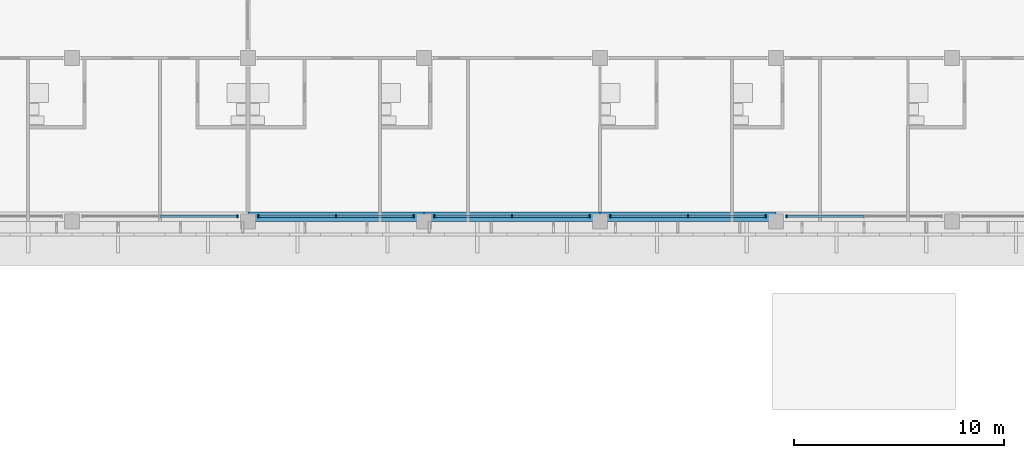
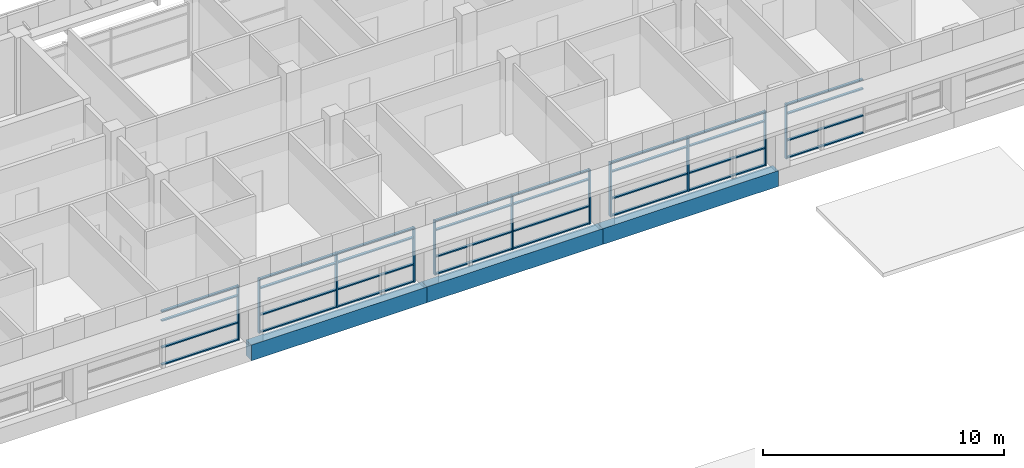
# One storey, part 6 of 36: 43 members, 3 beams, 5 elements without a shape of their own.
"""IFC4 building model written with IfcOpenShell, lengths in metres."""

from ifc_helpers import new_model, si_unit, direction, frame, origin, origin_2d, place, context, subcontext, project, spatial, rectangle, extrude, material, material_profile, profile_set, type_object, element, aggregate, save


model = new_model("IFC4")

# Units and contexts
model_context = context("Model", 3, precision=1e-05, world=origin(), true_north=direction((0.0, 1.0)))
body_context = subcontext(model_context, "Body", "Model", "MODEL_VIEW")
ifc_project = project(units=[si_unit("LENGTHUNIT", "METRE"), si_unit("AREAUNIT", "SQUARE_METRE"), si_unit("VOLUMEUNIT", "CUBIC_METRE"), si_unit("PLANEANGLEUNIT", "RADIAN"), si_unit("MASSUNIT", "GRAM", prefix="KILO")], contexts=[model_context])

# Site, building, storey
site_placement = place(None, origin())
site = spatial("IfcSite", under=ifc_project, at=site_placement, CompositionType="ELEMENT")
building_placement = place(site_placement, origin())
building = spatial("IfcBuilding", under=site, at=building_placement, Name="Bougainvillea Quay General Hospital", CompositionType="ELEMENT")
storey_placement = place(building_placement, frame((0.0, 0.0, 32.699951171875)))
storey = spatial("IfcBuildingStorey", under=building, at=storey_placement, Name="L07", CompositionType="ELEMENT", Elevation=32.699951171875)

# Curtain wall, member
ifc_material_1 = material(Name="Aluminium curtain wall system, powder-coated glazed", Category="aluminium")
curtain_wall_type = type_object("IfcCurtainWallType", Name="Unitised curtain wall CW-3730", PredefinedType="NOTDEFINED", material=ifc_material_1)
curtain_wall_1_placement = place(storey_placement, origin())
curtain_wall_1 = element("IfcCurtainWall", 1, at=curtain_wall_1_placement, inside=storey, type_object=curtain_wall_type, Name="CW-4200 03", PredefinedType="NOTDEFINED")
ifc_material_2 = material(Name="Aluminium mullion, powder-coated charcoal", Category="aluminium")
ifc_material_profile_1 = material_profile(ifc_material_2, rectangle(XDim=0.159912109375, YDim=0.06005859375, at=origin_2d()))
ifc_profile_set_1 = profile_set([ifc_material_profile_1], Name="Aluminium mullion, powder-coated charcoal")
member_type_1 = type_object("IfcMemberType", Name="Curtain wall mullion 160x60", PredefinedType="MULLION", material=ifc_profile_set_1)
member_1_placement = place(storey_placement, frame((108.699951171875, 140.64990234375, 0.0), z_axis=(0.0, 0.0, 1.0), x_axis=(0.0, 1.0, 0.0)))
member_1 = element("IfcMember", 2, at=member_1_placement, type_object=member_type_1, Name="CW-4200 mullion 3", PredefinedType="MULLION", context=body_context, shape_type="SweptSolid", body=[
    extrude(rectangle(XDim=0.159912109375, YDim=0.06005859375, at=origin_2d()), origin(), (0.0, 0.0, 1.0), 2.75),
])

# Curtain wall, members
curtain_wall_2_placement = place(storey_placement, origin())
curtain_wall_2 = element("IfcCurtainWall", 3, at=curtain_wall_2_placement, inside=storey, type_object=curtain_wall_type, Name="CW-4200 04", PredefinedType="NOTDEFINED")
member_2_placement = place(storey_placement, frame((109.699951171875, 140.64990234375, 0.0), z_axis=(0.0, 0.0, 1.0), x_axis=(0.0, 1.0, 0.0)))
member_2 = element("IfcMember", 4, at=member_2_placement, type_object=member_type_1, Name="CW-4200 mullion 1", PredefinedType="MULLION", context=body_context, shape_type="SweptSolid", body=[
    extrude(rectangle(XDim=0.159912109375, YDim=0.06005859375, at=origin_2d()), origin(), (0.0, 0.0, 1.0), 2.75),
])
member_3_placement = place(storey_placement, frame((113.39990234375, 140.64990234375, 0.0), z_axis=(0.0, 0.0, 1.0), x_axis=(0.0, 1.0, 0.0)))
member_3 = element("IfcMember", 5, at=member_3_placement, type_object=member_type_1, Name="CW-4200 mullion 2", PredefinedType="MULLION", context=body_context, shape_type="SweptSolid", body=[
    extrude(rectangle(XDim=0.159912109375, YDim=0.06005859375, at=origin_2d()), origin(), (0.0, 0.0, 1.0), 2.75),
])
member_4_placement = place(storey_placement, frame((117.10009765625, 140.64990234375, 0.0), z_axis=(0.0, 0.0, 1.0), x_axis=(0.0, 1.0, 0.0)))
member_4 = element("IfcMember", 6, at=member_4_placement, type_object=member_type_1, Name="CW-4200 mullion 3", PredefinedType="MULLION", context=body_context, shape_type="SweptSolid", body=[
    extrude(rectangle(XDim=0.159912109375, YDim=0.06005859375, at=origin_2d()), origin(), (0.0, 0.0, 1.0), 2.75),
])

curtain_wall_3_placement = place(storey_placement, origin())
curtain_wall_3 = element("IfcCurtainWall", 7, at=curtain_wall_3_placement, inside=storey, type_object=curtain_wall_type, Name="CW-4200 05", PredefinedType="NOTDEFINED")
member_5_placement = place(storey_placement, frame((118.10009765625, 140.64990234375, 0.0), z_axis=(0.0, 0.0, 1.0), x_axis=(0.0, 1.0, 0.0)))
member_5 = element("IfcMember", 8, at=member_5_placement, type_object=member_type_1, Name="CW-4200 mullion 1", PredefinedType="MULLION", context=body_context, shape_type="SweptSolid", body=[
    extrude(rectangle(XDim=0.159912109375, YDim=0.06005859375, at=origin_2d()), origin(), (0.0, 0.0, 1.0), 2.75),
])
member_6_placement = place(storey_placement, frame((121.800048828125, 140.64990234375, 0.0), z_axis=(0.0, 0.0, 1.0), x_axis=(0.0, 1.0, 0.0)))
member_6 = element("IfcMember", 9, at=member_6_placement, type_object=member_type_1, Name="CW-4200 mullion 2", PredefinedType="MULLION", context=body_context, shape_type="SweptSolid", body=[
    extrude(rectangle(XDim=0.159912109375, YDim=0.06005859375, at=origin_2d()), origin(), (0.0, 0.0, 1.0), 2.75),
])
member_7_placement = place(storey_placement, frame((125.5, 140.64990234375, 0.0), z_axis=(0.0, 0.0, 1.0), x_axis=(0.0, 1.0, 0.0)))
member_7 = element("IfcMember", 10, at=member_7_placement, type_object=member_type_1, Name="CW-4200 mullion 3", PredefinedType="MULLION", context=body_context, shape_type="SweptSolid", body=[
    extrude(rectangle(XDim=0.159912109375, YDim=0.06005859375, at=origin_2d()), origin(), (0.0, 0.0, 1.0), 2.75),
])

curtain_wall_4_placement = place(storey_placement, origin())
curtain_wall_4 = element("IfcCurtainWall", 11, at=curtain_wall_4_placement, inside=storey, type_object=curtain_wall_type, Name="CW-4200 06", PredefinedType="NOTDEFINED")
member_8_placement = place(storey_placement, frame((126.5, 140.64990234375, 0.0), z_axis=(0.0, 0.0, 1.0), x_axis=(0.0, 1.0, 0.0)))
member_8 = element("IfcMember", 12, at=member_8_placement, type_object=member_type_1, Name="CW-4200 mullion 1", PredefinedType="MULLION", context=body_context, shape_type="SweptSolid", body=[
    extrude(rectangle(XDim=0.159912109375, YDim=0.06005859375, at=origin_2d()), origin(), (0.0, 0.0, 1.0), 2.75),
])
member_9_placement = place(storey_placement, frame((130.199951171875, 140.64990234375, 0.0), z_axis=(0.0, 0.0, 1.0), x_axis=(0.0, 1.0, 0.0)))
member_9 = element("IfcMember", 13, at=member_9_placement, type_object=member_type_1, Name="CW-4200 mullion 2", PredefinedType="MULLION", context=body_context, shape_type="SweptSolid", body=[
    extrude(rectangle(XDim=0.159912109375, YDim=0.06005859375, at=origin_2d()), origin(), (0.0, 0.0, 1.0), 2.75),
])
member_10_placement = place(storey_placement, frame((133.89990234375, 140.64990234375, 0.0), z_axis=(0.0, 0.0, 1.0), x_axis=(0.0, 1.0, 0.0)))
member_10 = element("IfcMember", 14, at=member_10_placement, type_object=member_type_1, Name="CW-4200 mullion 3", PredefinedType="MULLION", context=body_context, shape_type="SweptSolid", body=[
    extrude(rectangle(XDim=0.159912109375, YDim=0.06005859375, at=origin_2d()), origin(), (0.0, 0.0, 1.0), 2.75),
])

# Curtain wall, member
curtain_wall_5_placement = place(storey_placement, origin())
curtain_wall_5 = element("IfcCurtainWall", 15, at=curtain_wall_5_placement, inside=storey, type_object=curtain_wall_type, Name="CW-4200 07", PredefinedType="NOTDEFINED")
member_11_placement = place(storey_placement, frame((134.89990234375, 140.64990234375, 0.0), z_axis=(0.0, 0.0, 1.0), x_axis=(0.0, 1.0, 0.0)))
member_11 = element("IfcMember", 16, at=member_11_placement, type_object=member_type_1, Name="CW-4200 mullion 1", PredefinedType="MULLION", context=body_context, shape_type="SweptSolid", body=[
    extrude(rectangle(XDim=0.159912109375, YDim=0.06005859375, at=origin_2d()), origin(), (0.0, 0.0, 1.0), 2.75),
])

# Member
ifc_material_3 = material(Name="Aluminium transom, powder-coated charcoal", Category="aluminium")
ifc_material_profile_2 = material_profile(ifc_material_3, rectangle(XDim=0.1201171875, YDim=0.06005859375, at=origin_2d()))
ifc_profile_set_2 = profile_set([ifc_material_profile_2], Name="Aluminium transom, powder-coated charcoal")
member_type_2 = type_object("IfcMemberType", Name="Curtain wall transom 120x60", PredefinedType="USERDEFINED", material=ifc_profile_set_2)
member_12_placement = place(storey_placement, frame((105.030029296875, 140.64990234375, 0.030029296875), z_axis=(1.0, 0.0, 0.0), x_axis=(0.0, 1.0, 0.0)))
member_12 = element("IfcMember", 17, at=member_12_placement, type_object=member_type_2, Name="CW-4200 transom 2.1", ObjectType="TRANSOM", PredefinedType="USERDEFINED", context=body_context, shape_type="SweptSolid", body=[
    extrude(rectangle(XDim=0.1201171875, YDim=0.06005859375, at=origin_2d()), origin(), (0.0, 0.0, 1.0), 3.639892578125),
])

member_13_placement = place(storey_placement, frame((105.030029296875, 140.64990234375, 0.900146484375), z_axis=(1.0, 0.0, 0.0), x_axis=(0.0, 1.0, 0.0)))
member_13 = element("IfcMember", 18, at=member_13_placement, type_object=member_type_2, Name="CW-4200 transom 2.2", ObjectType="TRANSOM", PredefinedType="USERDEFINED", context=body_context, shape_type="SweptSolid", body=[
    extrude(rectangle(XDim=0.1201171875, YDim=0.06005859375, at=origin_2d()), origin(), (0.0, 0.0, 1.0), 3.639892578125),
])

member_14_placement = place(storey_placement, frame((105.030029296875, 140.64990234375, 2.25), z_axis=(1.0, 0.0, 0.0), x_axis=(0.0, 1.0, 0.0)))
member_14 = element("IfcMember", 19, at=member_14_placement, type_object=member_type_2, Name="CW-4200 transom 2.3", ObjectType="TRANSOM", PredefinedType="USERDEFINED", context=body_context, shape_type="SweptSolid", body=[
    extrude(rectangle(XDim=0.1201171875, YDim=0.06005859375, at=origin_2d()), origin(), (0.0, 0.0, 1.0), 3.639892578125),
])

member_15_placement = place(storey_placement, frame((105.030029296875, 140.64990234375, 2.719970703125), z_axis=(1.0, 0.0, 0.0), x_axis=(0.0, 1.0, 0.0)))
member_15 = element("IfcMember", 20, at=member_15_placement, type_object=member_type_2, Name="CW-4200 transom 2.4", ObjectType="TRANSOM", PredefinedType="USERDEFINED", context=body_context, shape_type="SweptSolid", body=[
    extrude(rectangle(XDim=0.1201171875, YDim=0.06005859375, at=origin_2d()), origin(), (0.0, 0.0, 1.0), 3.639892578125),
])

aggregate(curtain_wall_1, [member_1, member_12, member_13, member_14, member_15])

member_16_placement = place(storey_placement, frame((109.72998046875, 140.64990234375, 0.030029296875), z_axis=(1.0, 0.0, 0.0), x_axis=(0.0, 1.0, 0.0)))
member_16 = element("IfcMember", 21, at=member_16_placement, type_object=member_type_2, Name="CW-4200 transom 1.1", ObjectType="TRANSOM", PredefinedType="USERDEFINED", context=body_context, shape_type="SweptSolid", body=[
    extrude(rectangle(XDim=0.1201171875, YDim=0.06005859375, at=origin_2d()), origin(), (0.0, 0.0, 1.0), 3.64013671875),
])

member_17_placement = place(storey_placement, frame((109.72998046875, 140.64990234375, 0.900146484375), z_axis=(1.0, 0.0, 0.0), x_axis=(0.0, 1.0, 0.0)))
member_17 = element("IfcMember", 22, at=member_17_placement, type_object=member_type_2, Name="CW-4200 transom 1.2", ObjectType="TRANSOM", PredefinedType="USERDEFINED", context=body_context, shape_type="SweptSolid", body=[
    extrude(rectangle(XDim=0.1201171875, YDim=0.06005859375, at=origin_2d()), origin(), (0.0, 0.0, 1.0), 3.64013671875),
])

member_18_placement = place(storey_placement, frame((109.72998046875, 140.64990234375, 2.25), z_axis=(1.0, 0.0, 0.0), x_axis=(0.0, 1.0, 0.0)))
member_18 = element("IfcMember", 23, at=member_18_placement, type_object=member_type_2, Name="CW-4200 transom 1.3", ObjectType="TRANSOM", PredefinedType="USERDEFINED", context=body_context, shape_type="SweptSolid", body=[
    extrude(rectangle(XDim=0.1201171875, YDim=0.06005859375, at=origin_2d()), origin(), (0.0, 0.0, 1.0), 3.64013671875),
])

member_19_placement = place(storey_placement, frame((109.72998046875, 140.64990234375, 2.719970703125), z_axis=(1.0, 0.0, 0.0), x_axis=(0.0, 1.0, 0.0)))
member_19 = element("IfcMember", 24, at=member_19_placement, type_object=member_type_2, Name="CW-4200 transom 1.4", ObjectType="TRANSOM", PredefinedType="USERDEFINED", context=body_context, shape_type="SweptSolid", body=[
    extrude(rectangle(XDim=0.1201171875, YDim=0.06005859375, at=origin_2d()), origin(), (0.0, 0.0, 1.0), 3.64013671875),
])

member_20_placement = place(storey_placement, frame((113.429931640625, 140.64990234375, 0.030029296875), z_axis=(1.0, 0.0, 0.0), x_axis=(0.0, 1.0, 0.0)))
member_20 = element("IfcMember", 25, at=member_20_placement, type_object=member_type_2, Name="CW-4200 transom 2.1", ObjectType="TRANSOM", PredefinedType="USERDEFINED", context=body_context, shape_type="SweptSolid", body=[
    extrude(rectangle(XDim=0.1201171875, YDim=0.06005859375, at=origin_2d()), origin(), (0.0, 0.0, 1.0), 3.64013671875),
])

member_21_placement = place(storey_placement, frame((113.429931640625, 140.64990234375, 0.900146484375), z_axis=(1.0, 0.0, 0.0), x_axis=(0.0, 1.0, 0.0)))
member_21 = element("IfcMember", 26, at=member_21_placement, type_object=member_type_2, Name="CW-4200 transom 2.2", ObjectType="TRANSOM", PredefinedType="USERDEFINED", context=body_context, shape_type="SweptSolid", body=[
    extrude(rectangle(XDim=0.1201171875, YDim=0.06005859375, at=origin_2d()), origin(), (0.0, 0.0, 1.0), 3.64013671875),
])

member_22_placement = place(storey_placement, frame((113.429931640625, 140.64990234375, 2.25), z_axis=(1.0, 0.0, 0.0), x_axis=(0.0, 1.0, 0.0)))
member_22 = element("IfcMember", 27, at=member_22_placement, type_object=member_type_2, Name="CW-4200 transom 2.3", ObjectType="TRANSOM", PredefinedType="USERDEFINED", context=body_context, shape_type="SweptSolid", body=[
    extrude(rectangle(XDim=0.1201171875, YDim=0.06005859375, at=origin_2d()), origin(), (0.0, 0.0, 1.0), 3.64013671875),
])

member_23_placement = place(storey_placement, frame((113.429931640625, 140.64990234375, 2.719970703125), z_axis=(1.0, 0.0, 0.0), x_axis=(0.0, 1.0, 0.0)))
member_23 = element("IfcMember", 28, at=member_23_placement, type_object=member_type_2, Name="CW-4200 transom 2.4", ObjectType="TRANSOM", PredefinedType="USERDEFINED", context=body_context, shape_type="SweptSolid", body=[
    extrude(rectangle(XDim=0.1201171875, YDim=0.06005859375, at=origin_2d()), origin(), (0.0, 0.0, 1.0), 3.64013671875),
])

aggregate(curtain_wall_2, [member_2, member_3, member_4, member_16, member_17, member_18, member_19, member_20, member_21, member_22, member_23])

member_24_placement = place(storey_placement, frame((118.1298828125, 140.64990234375, 0.030029296875), z_axis=(1.0, 0.0, 0.0), x_axis=(0.0, 1.0, 0.0)))
member_24 = element("IfcMember", 29, at=member_24_placement, type_object=member_type_2, Name="CW-4200 transom 1.1", ObjectType="TRANSOM", PredefinedType="USERDEFINED", context=body_context, shape_type="SweptSolid", body=[
    extrude(rectangle(XDim=0.1201171875, YDim=0.06005859375, at=origin_2d()), origin(), (0.0, 0.0, 1.0), 3.64013671875),
])

member_25_placement = place(storey_placement, frame((118.1298828125, 140.64990234375, 0.900146484375), z_axis=(1.0, 0.0, 0.0), x_axis=(0.0, 1.0, 0.0)))
member_25 = element("IfcMember", 30, at=member_25_placement, type_object=member_type_2, Name="CW-4200 transom 1.2", ObjectType="TRANSOM", PredefinedType="USERDEFINED", context=body_context, shape_type="SweptSolid", body=[
    extrude(rectangle(XDim=0.1201171875, YDim=0.06005859375, at=origin_2d()), origin(), (0.0, 0.0, 1.0), 3.64013671875),
])

member_26_placement = place(storey_placement, frame((118.1298828125, 140.64990234375, 2.25), z_axis=(1.0, 0.0, 0.0), x_axis=(0.0, 1.0, 0.0)))
member_26 = element("IfcMember", 31, at=member_26_placement, type_object=member_type_2, Name="CW-4200 transom 1.3", ObjectType="TRANSOM", PredefinedType="USERDEFINED", context=body_context, shape_type="SweptSolid", body=[
    extrude(rectangle(XDim=0.1201171875, YDim=0.06005859375, at=origin_2d()), origin(), (0.0, 0.0, 1.0), 3.64013671875),
])

member_27_placement = place(storey_placement, frame((118.1298828125, 140.64990234375, 2.719970703125), z_axis=(1.0, 0.0, 0.0), x_axis=(0.0, 1.0, 0.0)))
member_27 = element("IfcMember", 32, at=member_27_placement, type_object=member_type_2, Name="CW-4200 transom 1.4", ObjectType="TRANSOM", PredefinedType="USERDEFINED", context=body_context, shape_type="SweptSolid", body=[
    extrude(rectangle(XDim=0.1201171875, YDim=0.06005859375, at=origin_2d()), origin(), (0.0, 0.0, 1.0), 3.64013671875),
])

member_28_placement = place(storey_placement, frame((121.830078125, 140.64990234375, 0.030029296875), z_axis=(1.0, 0.0, 0.0), x_axis=(0.0, 1.0, 0.0)))
member_28 = element("IfcMember", 33, at=member_28_placement, type_object=member_type_2, Name="CW-4200 transom 2.1", ObjectType="TRANSOM", PredefinedType="USERDEFINED", context=body_context, shape_type="SweptSolid", body=[
    extrude(rectangle(XDim=0.1201171875, YDim=0.06005859375, at=origin_2d()), origin(), (0.0, 0.0, 1.0), 3.639892578125),
])

member_29_placement = place(storey_placement, frame((121.830078125, 140.64990234375, 0.900146484375), z_axis=(1.0, 0.0, 0.0), x_axis=(0.0, 1.0, 0.0)))
member_29 = element("IfcMember", 34, at=member_29_placement, type_object=member_type_2, Name="CW-4200 transom 2.2", ObjectType="TRANSOM", PredefinedType="USERDEFINED", context=body_context, shape_type="SweptSolid", body=[
    extrude(rectangle(XDim=0.1201171875, YDim=0.06005859375, at=origin_2d()), origin(), (0.0, 0.0, 1.0), 3.639892578125),
])

member_30_placement = place(storey_placement, frame((121.830078125, 140.64990234375, 2.25), z_axis=(1.0, 0.0, 0.0), x_axis=(0.0, 1.0, 0.0)))
member_30 = element("IfcMember", 35, at=member_30_placement, type_object=member_type_2, Name="CW-4200 transom 2.3", ObjectType="TRANSOM", PredefinedType="USERDEFINED", context=body_context, shape_type="SweptSolid", body=[
    extrude(rectangle(XDim=0.1201171875, YDim=0.06005859375, at=origin_2d()), origin(), (0.0, 0.0, 1.0), 3.639892578125),
])

member_31_placement = place(storey_placement, frame((121.830078125, 140.64990234375, 2.719970703125), z_axis=(1.0, 0.0, 0.0), x_axis=(0.0, 1.0, 0.0)))
member_31 = element("IfcMember", 36, at=member_31_placement, type_object=member_type_2, Name="CW-4200 transom 2.4", ObjectType="TRANSOM", PredefinedType="USERDEFINED", context=body_context, shape_type="SweptSolid", body=[
    extrude(rectangle(XDim=0.1201171875, YDim=0.06005859375, at=origin_2d()), origin(), (0.0, 0.0, 1.0), 3.639892578125),
])

aggregate(curtain_wall_3, [member_5, member_6, member_7, member_24, member_25, member_26, member_27, member_28, member_29, member_30, member_31])

member_32_placement = place(storey_placement, frame((126.530029296875, 140.64990234375, 0.030029296875), z_axis=(1.0, 0.0, 0.0), x_axis=(0.0, 1.0, 0.0)))
member_32 = element("IfcMember", 37, at=member_32_placement, type_object=member_type_2, Name="CW-4200 transom 1.1", ObjectType="TRANSOM", PredefinedType="USERDEFINED", context=body_context, shape_type="SweptSolid", body=[
    extrude(rectangle(XDim=0.1201171875, YDim=0.06005859375, at=origin_2d()), origin(), (0.0, 0.0, 1.0), 3.639892578125),
])

member_33_placement = place(storey_placement, frame((126.530029296875, 140.64990234375, 0.900146484375), z_axis=(1.0, 0.0, 0.0), x_axis=(0.0, 1.0, 0.0)))
member_33 = element("IfcMember", 38, at=member_33_placement, type_object=member_type_2, Name="CW-4200 transom 1.2", ObjectType="TRANSOM", PredefinedType="USERDEFINED", context=body_context, shape_type="SweptSolid", body=[
    extrude(rectangle(XDim=0.1201171875, YDim=0.06005859375, at=origin_2d()), origin(), (0.0, 0.0, 1.0), 3.639892578125),
])

member_34_placement = place(storey_placement, frame((126.530029296875, 140.64990234375, 2.25), z_axis=(1.0, 0.0, 0.0), x_axis=(0.0, 1.0, 0.0)))
member_34 = element("IfcMember", 39, at=member_34_placement, type_object=member_type_2, Name="CW-4200 transom 1.3", ObjectType="TRANSOM", PredefinedType="USERDEFINED", context=body_context, shape_type="SweptSolid", body=[
    extrude(rectangle(XDim=0.1201171875, YDim=0.06005859375, at=origin_2d()), origin(), (0.0, 0.0, 1.0), 3.639892578125),
])

member_35_placement = place(storey_placement, frame((126.530029296875, 140.64990234375, 2.719970703125), z_axis=(1.0, 0.0, 0.0), x_axis=(0.0, 1.0, 0.0)))
member_35 = element("IfcMember", 40, at=member_35_placement, type_object=member_type_2, Name="CW-4200 transom 1.4", ObjectType="TRANSOM", PredefinedType="USERDEFINED", context=body_context, shape_type="SweptSolid", body=[
    extrude(rectangle(XDim=0.1201171875, YDim=0.06005859375, at=origin_2d()), origin(), (0.0, 0.0, 1.0), 3.639892578125),
])

member_36_placement = place(storey_placement, frame((130.22998046875, 140.64990234375, 0.030029296875), z_axis=(1.0, 0.0, 0.0), x_axis=(0.0, 1.0, 0.0)))
member_36 = element("IfcMember", 41, at=member_36_placement, type_object=member_type_2, Name="CW-4200 transom 2.1", ObjectType="TRANSOM", PredefinedType="USERDEFINED", context=body_context, shape_type="SweptSolid", body=[
    extrude(rectangle(XDim=0.1201171875, YDim=0.06005859375, at=origin_2d()), origin(), (0.0, 0.0, 1.0), 3.64013671875),
])

member_37_placement = place(storey_placement, frame((130.22998046875, 140.64990234375, 0.900146484375), z_axis=(1.0, 0.0, 0.0), x_axis=(0.0, 1.0, 0.0)))
member_37 = element("IfcMember", 42, at=member_37_placement, type_object=member_type_2, Name="CW-4200 transom 2.2", ObjectType="TRANSOM", PredefinedType="USERDEFINED", context=body_context, shape_type="SweptSolid", body=[
    extrude(rectangle(XDim=0.1201171875, YDim=0.06005859375, at=origin_2d()), origin(), (0.0, 0.0, 1.0), 3.64013671875),
])

member_38_placement = place(storey_placement, frame((130.22998046875, 140.64990234375, 2.25), z_axis=(1.0, 0.0, 0.0), x_axis=(0.0, 1.0, 0.0)))
member_38 = element("IfcMember", 43, at=member_38_placement, type_object=member_type_2, Name="CW-4200 transom 2.3", ObjectType="TRANSOM", PredefinedType="USERDEFINED", context=body_context, shape_type="SweptSolid", body=[
    extrude(rectangle(XDim=0.1201171875, YDim=0.06005859375, at=origin_2d()), origin(), (0.0, 0.0, 1.0), 3.64013671875),
])

member_39_placement = place(storey_placement, frame((130.22998046875, 140.64990234375, 2.719970703125), z_axis=(1.0, 0.0, 0.0), x_axis=(0.0, 1.0, 0.0)))
member_39 = element("IfcMember", 44, at=member_39_placement, type_object=member_type_2, Name="CW-4200 transom 2.4", ObjectType="TRANSOM", PredefinedType="USERDEFINED", context=body_context, shape_type="SweptSolid", body=[
    extrude(rectangle(XDim=0.1201171875, YDim=0.06005859375, at=origin_2d()), origin(), (0.0, 0.0, 1.0), 3.64013671875),
])

aggregate(curtain_wall_4, [member_8, member_9, member_10, member_32, member_33, member_34, member_35, member_36, member_37, member_38, member_39])

member_40_placement = place(storey_placement, frame((134.929931640625, 140.64990234375, 0.030029296875), z_axis=(1.0, 0.0, 0.0), x_axis=(0.0, 1.0, 0.0)))
member_40 = element("IfcMember", 45, at=member_40_placement, type_object=member_type_2, Name="CW-4200 transom 1.1", ObjectType="TRANSOM", PredefinedType="USERDEFINED", context=body_context, shape_type="SweptSolid", body=[
    extrude(rectangle(XDim=0.1201171875, YDim=0.06005859375, at=origin_2d()), origin(), (0.0, 0.0, 1.0), 3.64013671875),
])

member_41_placement = place(storey_placement, frame((134.929931640625, 140.64990234375, 0.900146484375), z_axis=(1.0, 0.0, 0.0), x_axis=(0.0, 1.0, 0.0)))
member_41 = element("IfcMember", 46, at=member_41_placement, type_object=member_type_2, Name="CW-4200 transom 1.2", ObjectType="TRANSOM", PredefinedType="USERDEFINED", context=body_context, shape_type="SweptSolid", body=[
    extrude(rectangle(XDim=0.1201171875, YDim=0.06005859375, at=origin_2d()), origin(), (0.0, 0.0, 1.0), 3.64013671875),
])

member_42_placement = place(storey_placement, frame((134.929931640625, 140.64990234375, 2.25), z_axis=(1.0, 0.0, 0.0), x_axis=(0.0, 1.0, 0.0)))
member_42 = element("IfcMember", 47, at=member_42_placement, type_object=member_type_2, Name="CW-4200 transom 1.3", ObjectType="TRANSOM", PredefinedType="USERDEFINED", context=body_context, shape_type="SweptSolid", body=[
    extrude(rectangle(XDim=0.1201171875, YDim=0.06005859375, at=origin_2d()), origin(), (0.0, 0.0, 1.0), 3.64013671875),
])

member_43_placement = place(storey_placement, frame((134.929931640625, 140.64990234375, 2.719970703125), z_axis=(1.0, 0.0, 0.0), x_axis=(0.0, 1.0, 0.0)))
member_43 = element("IfcMember", 48, at=member_43_placement, type_object=member_type_2, Name="CW-4200 transom 1.4", ObjectType="TRANSOM", PredefinedType="USERDEFINED", context=body_context, shape_type="SweptSolid", body=[
    extrude(rectangle(XDim=0.1201171875, YDim=0.06005859375, at=origin_2d()), origin(), (0.0, 0.0, 1.0), 3.64013671875),
])

aggregate(curtain_wall_5, [member_11, member_40, member_41, member_42, member_43])

# Beams
ifc_material_4 = material(Name="Concrete C40", Category="concrete")
ifc_material_profile_3 = material_profile(ifc_material_4, rectangle(XDim=0.449951171875, YDim=0.800048828125, at=origin_2d()))
ifc_profile_set_3 = profile_set([ifc_material_profile_3], Name="Concrete C40")
beam_type = type_object("IfcBeamType", Name="RC BEAM 450x800 C40", PredefinedType="BEAM", material=ifc_profile_set_3)
beam_placement = place(storey_placement, frame((109.199951171875, 140.625, -0.699951171875), z_axis=(1.0, 0.0, 0.0), x_axis=(0.0, 1.0, 0.0)))
element("IfcBeam", 49, at=beam_placement, inside=storey, type_object=beam_type, Name="Edge beam L07", PredefinedType="BEAM", context=body_context, shape_type="SweptSolid", body=[
    extrude(rectangle(XDim=0.449951171875, YDim=0.800048828125, at=origin_2d()), origin(), (0.0, 0.0, 1.0), 8.400146484375),
])
for number, where, z_axis, x_axis, name in (
    (50, (117.60009765625, 140.625, -0.699951171875), (1.0, 0.0, 0.0), (0.0, 1.0, 0.0), "Edge beam L07"),
    (51, (126.0, 140.625, -0.699951171875), (1.0, 0.0, 0.0), (0.0, 1.0, 0.0), "Edge beam L07"),
):
    element("IfcBeam", number, at=place(storey_placement, frame(where, z_axis=z_axis, x_axis=x_axis)), inside=storey, type_object=beam_type, Name=name, PredefinedType="BEAM", context=body_context, shape_type="SweptSolid", body=[
        extrude(rectangle(XDim=0.449951171875, YDim=0.800048828125, at=origin_2d()), origin(), (0.0, 0.0, 1.0), 8.39990234375),
    ])

save(model, "model.ifc")
